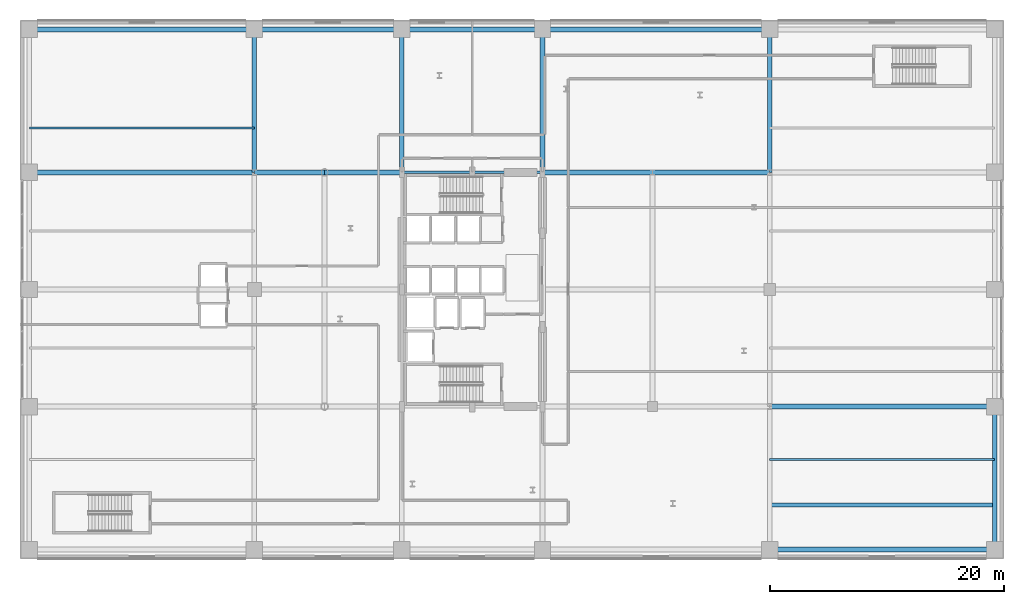
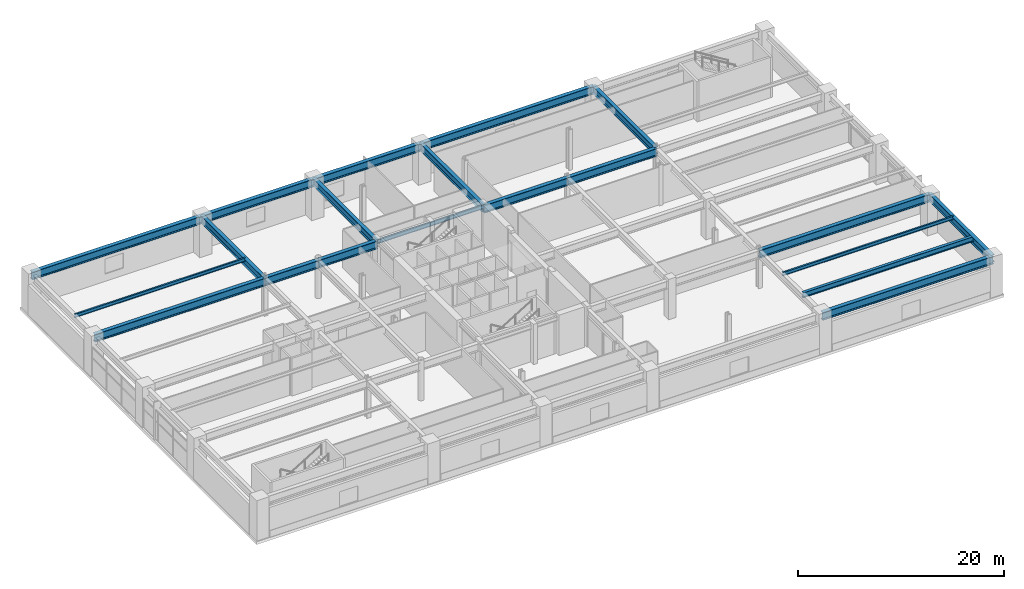
# One storey, part 12 of 28: 21 beams.
"""IFC4 building model written with IfcOpenShell, lengths in metres."""

from ifc_helpers import new_model, si_unit, direction, frame, origin, origin_2d, place, context, subcontext, project, spatial, i_section, extrude, material, material_profile, profile_set, type_object, element, save


model = new_model("IFC4")

# Units and contexts
model_context = context("Model", 3, precision=1e-05, world=origin(), true_north=direction((0.0, 1.0)))
body_context = subcontext(model_context, "Body", "Model", "MODEL_VIEW")
ifc_project = project(units=[si_unit("LENGTHUNIT", "METRE"), si_unit("AREAUNIT", "SQUARE_METRE"), si_unit("VOLUMEUNIT", "CUBIC_METRE"), si_unit("PLANEANGLEUNIT", "RADIAN"), si_unit("MASSUNIT", "GRAM", prefix="KILO")], contexts=[model_context])

# Site, building, storey
site_placement = place(None, origin())
site = spatial("IfcSite", under=ifc_project, at=site_placement, CompositionType="ELEMENT")
building_placement = place(site_placement, origin())
building = spatial("IfcBuilding", under=site, at=building_placement, Name="Soratama Intermodal Tower", CompositionType="ELEMENT")
storey_placement = place(building_placement, frame((0.0, 0.0, 11.39990234375)))
storey = spatial("IfcBuildingStorey", under=building, at=storey_placement, Name="L02", CompositionType="ELEMENT", Elevation=11.39990234375)

# Beams
ifc_material_1 = material(Name="Structural steel ASTM A992 Grade 50", Category="steel")
ifc_material_profile_1 = material_profile(ifc_material_1, i_section(OverallWidth=0.324951171875, OverallDepth=0.615966796875, WebThickness=0.013916015625, FlangeThickness=0.021484375, FilletRadius=0.013916015625, at=origin_2d()), Name="W24X117")
ifc_profile_set_1 = profile_set([ifc_material_profile_1], Name="Structural steel ASTM A992 Grade 50")
beam_type_1 = type_object("IfcBeamType", Name="BM-BACK-W24X117", PredefinedType="BEAM", material=ifc_profile_set_1)
beam_1_placement = place(storey_placement, frame((64.0, 6.60009765625, 4.172119140625), z_axis=(1.0, 0.0, 0.0), x_axis=(0.0, 1.0, 0.0)))
element("IfcBeam", 1, at=beam_1_placement, inside=storey, type_object=beam_type_1, Name="JST-BACK-L02-E", PredefinedType="BEAM", context=body_context, shape_type="SweptSolid", body=[
    extrude(i_section(OverallWidth=0.324951171875, OverallDepth=0.615966796875, WebThickness=0.013916015625, FlangeThickness=0.021484375, FilletRadius=0.013916015625, at=origin_2d()), origin(), (0.0, 0.0, 1.0), 19.199951171875),
])
ifc_material_2 = material(Name="Structural steel ASTM A992 Grade 50", Category="steel")
ifc_material_profile_2 = material_profile(ifc_material_2, i_section(OverallWidth=0.19091796875, OverallDepth=0.4599609375, WebThickness=0.010009765625, FlangeThickness=0.01611328125, FilletRadius=0.010986328125, at=origin_2d()), Name="W18X55")
ifc_profile_set_2 = profile_set([ifc_material_profile_2], Name="Structural steel ASTM A992 Grade 50")
beam_type_2 = type_object("IfcBeamType", Name="BM-FLR-W18X55", PredefinedType="BEAM", material=ifc_profile_set_2)
for number, where, z_axis, x_axis, name in (
    (2, (44.60009765625, 35.0, 4.25), (-1.0, 0.0, 0.0), (0.0, -1.0, 0.0), "BM-L02-CRING-06"),
    (3, (38.60009765625, 35.0, 4.25), (-1.0, 0.0, 0.0), (0.0, -1.0, 0.0), "BM-L02-CRING-07"),
):
    element("IfcBeam", number, at=place(storey_placement, frame(where, z_axis=z_axis, x_axis=x_axis)), inside=storey, type_object=beam_type_2, Name=name, PredefinedType="BEAM", context=body_context, shape_type="SweptSolid", body=[
        extrude(i_section(OverallWidth=0.19091796875, OverallDepth=0.4599609375, WebThickness=0.010009765625, FlangeThickness=0.01611328125, FilletRadius=0.010986328125, at=origin_2d()), origin(), (0.0, 0.0, 1.0), 6.0),
    ])
ifc_material_3 = material(Name="Structural steel ASTM A992 Grade 50", Category="steel")
ifc_material_profile_3 = material_profile(ifc_material_3, i_section(OverallWidth=0.177978515625, OverallDepth=0.406982421875, WebThickness=0.0078125, FlangeThickness=0.0126953125, FilletRadius=0.010009765625, at=origin_2d()), Name="W16X40")
ifc_profile_set_3 = profile_set([ifc_material_profile_3], Name="Structural steel ASTM A992 Grade 50")
beam_type_3 = type_object("IfcBeamType", Name="BM-JST-W16X40", PredefinedType="JOIST", material=ifc_profile_set_3)
for number, where, z_axis, x_axis, name in (
    (4, (64.0, 10.5, 4.276611328125), (1.0, 0.0, 0.0), (0.0, 1.0, 0.0), "JST-L02-E1"),
    (5, (0.800048828125, 38.800048828125, 4.276611328125), (1.0, 0.0, 0.0), (0.0, 1.0, 0.0), "JST-L02-W4"),
):
    element("IfcBeam", number, at=place(storey_placement, frame(where, z_axis=z_axis, x_axis=x_axis)), inside=storey, type_object=beam_type_3, Name=name, PredefinedType="JOIST", context=body_context, shape_type="SweptSolid", body=[
        extrude(i_section(OverallWidth=0.177978515625, OverallDepth=0.406982421875, WebThickness=0.0078125, FlangeThickness=0.0126953125, FilletRadius=0.010009765625, at=origin_2d()), origin(), (0.0, 0.0, 1.0), 19.199951171875),
    ])
ifc_material_4 = material(Name="Structural steel ASTM A992 Grade 50", Category="steel")
ifc_material_profile_4 = material_profile(ifc_material_4, i_section(OverallWidth=0.403076171875, OverallDepth=0.867919921875, WebThickness=0.02099609375, FlangeThickness=0.03564453125, FilletRadius=0.01806640625, at=origin_2d()), Name="W33X241")
ifc_profile_set_4 = profile_set([ifc_material_profile_4], Name="Structural steel ASTM A992 Grade 50")
beam_type_4 = type_object("IfcBeamType", Name="BM-POD-EXT-W33", PredefinedType="BEAM", material=ifc_profile_set_4)
beam_2_placement = place(storey_placement, frame((83.199951171875, 2.800048828125, 4.046142578125), z_axis=(0.0, 1.0, 0.0), x_axis=(-1.0, 0.0, 0.0)))
element("IfcBeam", 6, at=beam_2_placement, inside=storey, type_object=beam_type_4, Name="L02 Station Girder Y4-1", PredefinedType="BEAM", context=body_context, shape_type="SweptSolid", body=[
    extrude(i_section(OverallWidth=0.403076171875, OverallDepth=0.867919921875, WebThickness=0.02099609375, FlangeThickness=0.03564453125, FilletRadius=0.01806640625, at=origin_2d()), origin(), (0.0, 0.0, 1.0), 12.199951171875),
])
ifc_material_5 = material(Name="Structural steel ASTM A992 Grade 50", Category="steel")
ifc_material_profile_5 = material_profile(ifc_material_5, i_section(OverallWidth=0.423095703125, OverallDepth=0.93896484375, WebThickness=0.02392578125, FlangeThickness=0.042724609375, FilletRadius=0.02392578125, at=origin_2d()), Name="W36X302")
ifc_profile_set_5 = profile_set([ifc_material_profile_5], Name="Structural steel ASTM A992 Grade 50")
beam_type_5 = type_object("IfcBeamType", Name="BM-POD-EXT-W36", PredefinedType="BEAM", material=ifc_profile_set_5)
for number, where, z_axis, x_axis, name in (
    (7, (64.0, 2.800048828125, 4.010498046875), (1.0, 0.0, 0.0), (0.0, 1.0, 0.0), "L02 Station Girder X1-5"),
    (8, (0.800048828125, 47.199951171875, 4.010498046875), (1.0, 0.0, 0.0), (0.0, 1.0, 0.0), "L02 Station Girder X5-1"),
):
    element("IfcBeam", number, at=place(storey_placement, frame(where, z_axis=z_axis, x_axis=x_axis)), inside=storey, type_object=beam_type_5, Name=name, PredefinedType="BEAM", context=body_context, shape_type="SweptSolid", body=[
        extrude(i_section(OverallWidth=0.423095703125, OverallDepth=0.93896484375, WebThickness=0.02392578125, FlangeThickness=0.042724609375, FilletRadius=0.02392578125, at=origin_2d()), origin(), (0.0, 0.0, 1.0), 19.199951171875),
    ])
beam_3_placement = place(storey_placement, frame((20.0, 47.199951171875, 4.010498046875), z_axis=(1.0, 0.0, 0.0), x_axis=(0.0, 1.0, 0.0)))
element("IfcBeam", 9, at=beam_3_placement, inside=storey, type_object=beam_type_5, Name="L02 Station Girder X5-2", PredefinedType="BEAM", context=body_context, shape_type="SweptSolid", body=[
    extrude(i_section(OverallWidth=0.423095703125, OverallDepth=0.93896484375, WebThickness=0.02392578125, FlangeThickness=0.042724609375, FilletRadius=0.02392578125, at=origin_2d()), origin(), (0.0, 0.0, 1.0), 12.60009765625),
])
beam_4_placement = place(storey_placement, frame((32.60009765625, 47.199951171875, 4.010498046875), z_axis=(1.0, 0.0, 0.0), x_axis=(0.0, 1.0, 0.0)))
element("IfcBeam", 10, at=beam_4_placement, inside=storey, type_object=beam_type_5, Name="L02 Station Girder X5-3", PredefinedType="BEAM", context=body_context, shape_type="SweptSolid", body=[
    extrude(i_section(OverallWidth=0.423095703125, OverallDepth=0.93896484375, WebThickness=0.02392578125, FlangeThickness=0.042724609375, FilletRadius=0.02392578125, at=origin_2d()), origin(), (0.0, 0.0, 1.0), 12.0),
])
beam_5_placement = place(storey_placement, frame((44.60009765625, 47.199951171875, 4.010498046875), z_axis=(1.0, 0.0, 0.0), x_axis=(0.0, 1.0, 0.0)))
element("IfcBeam", 11, at=beam_5_placement, inside=storey, type_object=beam_type_5, Name="L02 Station Girder X5-4", PredefinedType="BEAM", context=body_context, shape_type="SweptSolid", body=[
    extrude(i_section(OverallWidth=0.423095703125, OverallDepth=0.93896484375, WebThickness=0.02392578125, FlangeThickness=0.042724609375, FilletRadius=0.02392578125, at=origin_2d()), origin(), (0.0, 0.0, 1.0), 19.39990234375),
])
ifc_material_6 = material(Name="Structural steel ASTM A992 Grade 50", Category="steel")
ifc_material_profile_6 = material_profile(ifc_material_6, i_section(OverallWidth=0.403076171875, OverallDepth=0.867919921875, WebThickness=0.02099609375, FlangeThickness=0.03564453125, FilletRadius=0.01806640625, at=origin_2d()), Name="W33X241")
ifc_profile_set_6 = profile_set([ifc_material_profile_6], Name="Structural steel ASTM A992 Grade 50")
beam_type_6 = type_object("IfcBeamType", Name="BM-POD-W33X241", PredefinedType="BEAM", material=ifc_profile_set_6)
for number, where, z_axis, x_axis, name in (
    (12, (20.0, 35.0, 4.046142578125), (0.0, 1.0, 0.0), (-1.0, 0.0, 0.0), "L02 Station Girder Y2-4"),
    (13, (64.0, 35.0, 4.046142578125), (0.0, 1.0, 0.0), (-1.0, 0.0, 0.0), "L02 Station Girder Y3-4"),
    (14, (32.60009765625, 35.0, 4.046142578125), (0.0, 1.0, 0.0), (-1.0, 0.0, 0.0), "BM-L02-GYC-1-2"),
    (15, (44.60009765625, 35.0, 4.046142578125), (0.0, 1.0, 0.0), (-1.0, 0.0, 0.0), "BM-L02-GYC-2-2"),
):
    element("IfcBeam", number, at=place(storey_placement, frame(where, z_axis=z_axis, x_axis=x_axis)), inside=storey, type_object=beam_type_6, Name=name, PredefinedType="BEAM", context=body_context, shape_type="SweptSolid", body=[
        extrude(i_section(OverallWidth=0.403076171875, OverallDepth=0.867919921875, WebThickness=0.02099609375, FlangeThickness=0.03564453125, FilletRadius=0.01806640625, at=origin_2d()), origin(), (0.0, 0.0, 1.0), 12.199951171875),
    ])
ifc_material_7 = material(Name="Structural steel ASTM A992 Grade 50", Category="steel")
ifc_material_profile_7 = material_profile(ifc_material_7, i_section(OverallWidth=0.423095703125, OverallDepth=0.93896484375, WebThickness=0.02392578125, FlangeThickness=0.042724609375, FilletRadius=0.02392578125, at=origin_2d()), Name="W36X302")
ifc_profile_set_7 = profile_set([ifc_material_profile_7], Name="Structural steel ASTM A992 Grade 50")
beam_type_7 = type_object("IfcBeamType", Name="BM-POD-W36X302", PredefinedType="BEAM", material=ifc_profile_set_7)
beam_6_placement = place(storey_placement, frame((64.0, 15.0, 4.010498046875), z_axis=(1.0, 0.0, 0.0), x_axis=(0.0, 1.0, 0.0)))
element("IfcBeam", 16, at=beam_6_placement, inside=storey, type_object=beam_type_7, Name="L02 Station Girder X2-6", PredefinedType="BEAM", context=body_context, shape_type="SweptSolid", body=[
    extrude(i_section(OverallWidth=0.423095703125, OverallDepth=0.93896484375, WebThickness=0.02392578125, FlangeThickness=0.042724609375, FilletRadius=0.02392578125, at=origin_2d()), origin(), (0.0, 0.0, 1.0), 19.199951171875),
])
beam_7_placement = place(storey_placement, frame((20.0, 35.0, 4.010498046875), z_axis=(1.0, 0.0, 0.0), x_axis=(0.0, 1.0, 0.0)))
element("IfcBeam", 17, at=beam_7_placement, inside=storey, type_object=beam_type_7, Name="L02 Station Girder X4-1", PredefinedType="BEAM", context=body_context, shape_type="SweptSolid", body=[
    extrude(i_section(OverallWidth=0.423095703125, OverallDepth=0.93896484375, WebThickness=0.02392578125, FlangeThickness=0.042724609375, FilletRadius=0.02392578125, at=origin_2d()), origin(), (0.0, 0.0, 1.0), 6.0),
])
beam_8_placement = place(storey_placement, frame((26.0, 35.0, 4.010498046875), z_axis=(1.0, 0.0, 0.0), x_axis=(0.0, 1.0, 0.0)))
element("IfcBeam", 18, at=beam_8_placement, inside=storey, type_object=beam_type_7, Name="L02 Station Girder X4-2", PredefinedType="BEAM", context=body_context, shape_type="SweptSolid", body=[
    extrude(i_section(OverallWidth=0.423095703125, OverallDepth=0.93896484375, WebThickness=0.02392578125, FlangeThickness=0.042724609375, FilletRadius=0.02392578125, at=origin_2d()), origin(), (0.0, 0.0, 1.0), 6.60009765625),
])
beam_9_placement = place(storey_placement, frame((44.60009765625, 35.0, 4.010498046875), z_axis=(1.0, 0.0, 0.0), x_axis=(0.0, 1.0, 0.0)))
element("IfcBeam", 19, at=beam_9_placement, inside=storey, type_object=beam_type_7, Name="L02 Station Girder X4-3", PredefinedType="BEAM", context=body_context, shape_type="SweptSolid", body=[
    extrude(i_section(OverallWidth=0.423095703125, OverallDepth=0.93896484375, WebThickness=0.02392578125, FlangeThickness=0.042724609375, FilletRadius=0.02392578125, at=origin_2d()), origin(), (0.0, 0.0, 1.0), 9.39990234375),
])
beam_10_placement = place(storey_placement, frame((54.0, 35.0, 4.010498046875), z_axis=(1.0, 0.0, 0.0), x_axis=(0.0, 1.0, 0.0)))
element("IfcBeam", 20, at=beam_10_placement, inside=storey, type_object=beam_type_7, Name="L02 Station Girder X4-4", PredefinedType="BEAM", context=body_context, shape_type="SweptSolid", body=[
    extrude(i_section(OverallWidth=0.423095703125, OverallDepth=0.93896484375, WebThickness=0.02392578125, FlangeThickness=0.042724609375, FilletRadius=0.02392578125, at=origin_2d()), origin(), (0.0, 0.0, 1.0), 10.0),
])
beam_11_placement = place(storey_placement, frame((0.800048828125, 35.0, 4.010498046875), z_axis=(1.0, 0.0, 0.0), x_axis=(0.0, 1.0, 0.0)))
element("IfcBeam", 21, at=beam_11_placement, inside=storey, type_object=beam_type_7, Name="L02 Station Girder X4-6", PredefinedType="BEAM", context=body_context, shape_type="SweptSolid", body=[
    extrude(i_section(OverallWidth=0.423095703125, OverallDepth=0.93896484375, WebThickness=0.02392578125, FlangeThickness=0.042724609375, FilletRadius=0.02392578125, at=origin_2d()), origin(), (0.0, 0.0, 1.0), 19.199951171875),
])

save(model, "model.ifc")
